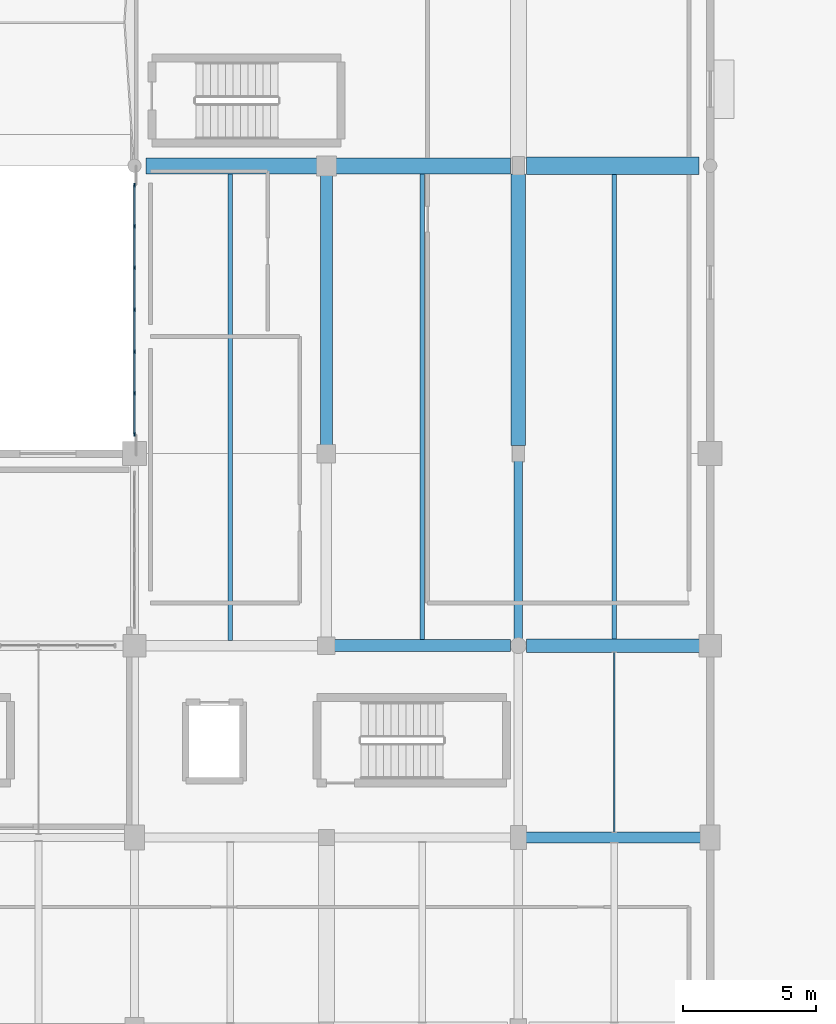
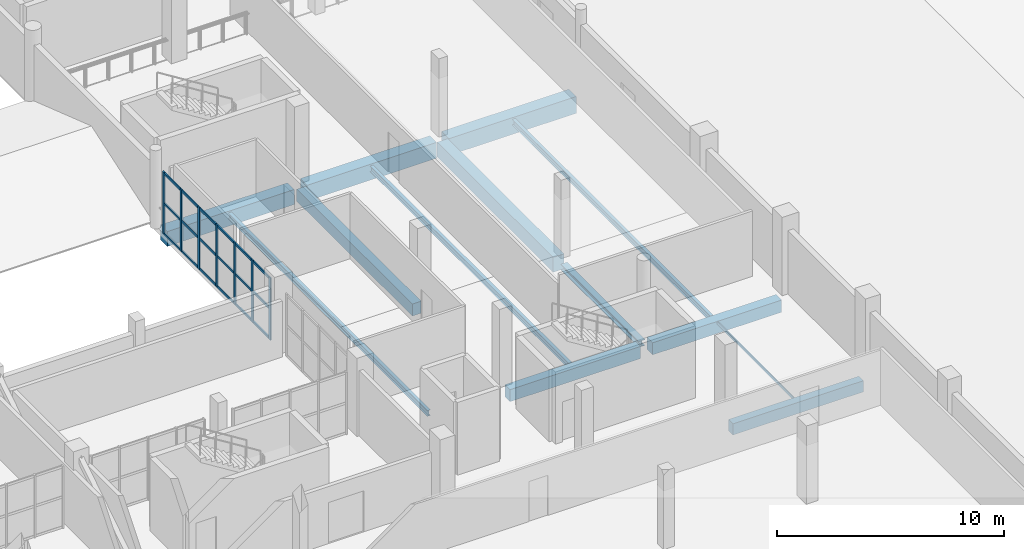
# One storey, part 36 of 90: 25 members, 13 beams, 1 element without a shape of its own.
"""IFC4 building model written with IfcOpenShell, lengths in metres."""

from ifc_helpers import new_model, si_unit, direction, frame, origin, origin_2d, place, context, subcontext, project, spatial, rectangle, hollow_rectangle, i_section, extrude, material, material_profile, profile_set, type_object, element, aggregate, save


model = new_model("IFC4")

# Units and contexts
model_context = context("Model", 3, precision=1e-05, world=origin(), true_north=direction((0.0, 1.0)))
body_context = subcontext(model_context, "Body", "Model", "MODEL_VIEW")
ifc_project = project(units=[si_unit("LENGTHUNIT", "METRE"), si_unit("AREAUNIT", "SQUARE_METRE"), si_unit("VOLUMEUNIT", "CUBIC_METRE"), si_unit("PLANEANGLEUNIT", "RADIAN"), si_unit("MASSUNIT", "GRAM", prefix="KILO")], contexts=[model_context])

# Site, building, storey
site_placement = place(None, origin())
site = spatial("IfcSite", under=ifc_project, at=site_placement, CompositionType="ELEMENT")
building_placement = place(site_placement, origin())
building = spatial("IfcBuilding", under=site, at=building_placement, Name="Solanera Park Tramway Depot", CompositionType="ELEMENT")
storey_placement = place(building_placement, frame((0.0, 0.0, 9.0)))
storey = spatial("IfcBuildingStorey", under=building, at=storey_placement, Name="L02", CompositionType="ELEMENT", Elevation=9.0)

# Curtain wall, members
ifc_material_1 = material(Name="Bronze-anodised thermally broken aluminium curtain wall", Category="aluminium")
curtain_wall_type = type_object("IfcCurtainWallType", Name="Courtyard Cloister Unitised Curtain Wall", PredefinedType="NOTDEFINED", material=ifc_material_1)
curtain_wall_placement = place(storey_placement, origin())
curtain_wall = element("IfcCurtainWall", 1, at=curtain_wall_placement, inside=storey, type_object=curtain_wall_type, Name="L02 Courtyard Cloister Unitised Curtain Wall #113", PredefinedType="NOTDEFINED")
ifc_material_2 = material(Name="Bronze-anodised structural aluminium 6063-T6", Category="aluminium")
ifc_material_profile_1 = material_profile(ifc_material_2, rectangle(XDim=0.06494140625, YDim=0.14990234375, at=origin_2d()), Name="Curtain Wall Mullion 65x150")
ifc_profile_set_1 = profile_set([ifc_material_profile_1], Name="Bronze-anodised structural aluminium 6063-T6")
member_type_1 = type_object("IfcMemberType", Name="Curtain Wall Mullion 65x150", PredefinedType="MULLION", material=ifc_profile_set_1)
member_1_placement = place(storey_placement, frame((165.60009765625, 42.467529296875, 0.0), z_axis=(0.0, 0.0, 1.0), x_axis=(1.0, 0.0, 0.0)))
member_1 = element("IfcMember", 2, at=member_1_placement, type_object=member_type_1, Name="CW-L02-113 Mullion 1", PredefinedType="MULLION", context=body_context, shape_type="SweptSolid", body=[
    extrude(rectangle(XDim=0.06494140625, YDim=0.14990234375, at=origin_2d()), origin(), (0.0, 0.0, 1.0), 3.35009765625),
])
member_2_placement = place(storey_placement, frame((165.60009765625, 40.933349609375, 0.0), z_axis=(0.0, 0.0, 1.0), x_axis=(1.0, 0.0, 0.0)))
member_2 = element("IfcMember", 3, at=member_2_placement, type_object=member_type_1, Name="CW-L02-113 Mullion 2", PredefinedType="MULLION", context=body_context, shape_type="SweptSolid", body=[
    extrude(rectangle(XDim=0.06494140625, YDim=0.14990234375, at=origin_2d()), origin(), (0.0, 0.0, 1.0), 3.35009765625),
])
member_3_placement = place(storey_placement, frame((165.60009765625, 39.36669921875, 0.0), z_axis=(0.0, 0.0, 1.0), x_axis=(1.0, 0.0, 0.0)))
member_3 = element("IfcMember", 4, at=member_3_placement, type_object=member_type_1, Name="CW-L02-113 Mullion 3", PredefinedType="MULLION", context=body_context, shape_type="SweptSolid", body=[
    extrude(rectangle(XDim=0.06494140625, YDim=0.14990234375, at=origin_2d()), origin(), (0.0, 0.0, 1.0), 3.35009765625),
])
member_4_placement = place(storey_placement, frame((165.60009765625, 37.800048828125, 0.0), z_axis=(0.0, 0.0, 1.0), x_axis=(1.0, 0.0, 0.0)))
member_4 = element("IfcMember", 5, at=member_4_placement, type_object=member_type_1, Name="CW-L02-113 Mullion 4", PredefinedType="MULLION", context=body_context, shape_type="SweptSolid", body=[
    extrude(rectangle(XDim=0.06494140625, YDim=0.14990234375, at=origin_2d()), origin(), (0.0, 0.0, 1.0), 3.35009765625),
])
member_5_placement = place(storey_placement, frame((165.60009765625, 36.2333984375, 0.0), z_axis=(0.0, 0.0, 1.0), x_axis=(1.0, 0.0, 0.0)))
member_5 = element("IfcMember", 6, at=member_5_placement, type_object=member_type_1, Name="CW-L02-113 Mullion 5", PredefinedType="MULLION", context=body_context, shape_type="SweptSolid", body=[
    extrude(rectangle(XDim=0.06494140625, YDim=0.14990234375, at=origin_2d()), origin(), (0.0, 0.0, 1.0), 3.35009765625),
])
member_6_placement = place(storey_placement, frame((165.60009765625, 34.666748046875, 0.0), z_axis=(0.0, 0.0, 1.0), x_axis=(1.0, 0.0, 0.0)))
member_6 = element("IfcMember", 7, at=member_6_placement, type_object=member_type_1, Name="CW-L02-113 Mullion 6", PredefinedType="MULLION", context=body_context, shape_type="SweptSolid", body=[
    extrude(rectangle(XDim=0.06494140625, YDim=0.14990234375, at=origin_2d()), origin(), (0.0, 0.0, 1.0), 3.35009765625),
])
member_7_placement = place(storey_placement, frame((165.60009765625, 33.132568359375, 0.0), z_axis=(0.0, 0.0, 1.0), x_axis=(1.0, 0.0, 0.0)))
member_7 = element("IfcMember", 8, at=member_7_placement, type_object=member_type_1, Name="CW-L02-113 Mullion 7", PredefinedType="MULLION", context=body_context, shape_type="SweptSolid", body=[
    extrude(rectangle(XDim=0.06494140625, YDim=0.14990234375, at=origin_2d()), origin(), (0.0, 0.0, 1.0), 3.35009765625),
])
ifc_material_3 = material(Name="Bronze-anodised structural aluminium 6063-T6", Category="aluminium")
ifc_material_profile_2 = material_profile(ifc_material_3, rectangle(XDim=0.06494140625, YDim=0.1201171875, at=origin_2d()), Name="Curtain Wall Transom 65x120")
ifc_profile_set_2 = profile_set([ifc_material_profile_2], Name="Bronze-anodised structural aluminium 6063-T6")
member_type_2 = type_object("IfcMemberType", Name="Curtain Wall Transom 65x120", PredefinedType="USERDEFINED", material=ifc_profile_set_2)
member_8_placement = place(storey_placement, frame((165.60009765625, 42.439453125, 0.06005859375), z_axis=(0.0, -1.0, 0.0), x_axis=(1.0, 0.0, 0.0)))
member_8 = element("IfcMember", 9, at=member_8_placement, type_object=member_type_2, Name="CW-L02-113 Transom R1.C1", ObjectType="TRANSOM", PredefinedType="USERDEFINED", context=body_context, shape_type="SweptSolid", body=[
    extrude(rectangle(XDim=0.06494140625, YDim=0.1201171875, at=origin_2d()), origin(), (0.0, 0.0, 1.0), 1.478271484375),
])
member_9_placement = place(storey_placement, frame((165.60009765625, 40.9052734375, 0.06005859375), z_axis=(0.0, -1.0, 0.0), x_axis=(1.0, 0.0, 0.0)))
member_9 = element("IfcMember", 10, at=member_9_placement, type_object=member_type_2, Name="CW-L02-113 Transom R1.C2", ObjectType="TRANSOM", PredefinedType="USERDEFINED", context=body_context, shape_type="SweptSolid", body=[
    extrude(rectangle(XDim=0.06494140625, YDim=0.1201171875, at=origin_2d()), origin(), (0.0, 0.0, 1.0), 1.510498046875),
])
member_10_placement = place(storey_placement, frame((165.60009765625, 39.338623046875, 0.06005859375), z_axis=(0.0, -1.0, 0.0), x_axis=(1.0, 0.0, 0.0)))
member_10 = element("IfcMember", 11, at=member_10_placement, type_object=member_type_2, Name="CW-L02-113 Transom R1.C3", ObjectType="TRANSOM", PredefinedType="USERDEFINED", context=body_context, shape_type="SweptSolid", body=[
    extrude(rectangle(XDim=0.06494140625, YDim=0.1201171875, at=origin_2d()), origin(), (0.0, 0.0, 1.0), 1.5107421875),
])
member_11_placement = place(storey_placement, frame((165.60009765625, 37.77197265625, 0.06005859375), z_axis=(0.0, -1.0, 0.0), x_axis=(1.0, 0.0, 0.0)))
member_11 = element("IfcMember", 12, at=member_11_placement, type_object=member_type_2, Name="CW-L02-113 Transom R1.C4", ObjectType="TRANSOM", PredefinedType="USERDEFINED", context=body_context, shape_type="SweptSolid", body=[
    extrude(rectangle(XDim=0.06494140625, YDim=0.1201171875, at=origin_2d()), origin(), (0.0, 0.0, 1.0), 1.5107421875),
])
member_12_placement = place(storey_placement, frame((165.60009765625, 36.205322265625, 0.06005859375), z_axis=(0.0, -1.0, 0.0), x_axis=(1.0, 0.0, 0.0)))
member_12 = element("IfcMember", 13, at=member_12_placement, type_object=member_type_2, Name="CW-L02-113 Transom R1.C5", ObjectType="TRANSOM", PredefinedType="USERDEFINED", context=body_context, shape_type="SweptSolid", body=[
    extrude(rectangle(XDim=0.06494140625, YDim=0.1201171875, at=origin_2d()), origin(), (0.0, 0.0, 1.0), 1.5107421875),
])
member_13_placement = place(storey_placement, frame((165.60009765625, 34.638671875, 0.06005859375), z_axis=(0.0, -1.0, 0.0), x_axis=(1.0, 0.0, 0.0)))
member_13 = element("IfcMember", 14, at=member_13_placement, type_object=member_type_2, Name="CW-L02-113 Transom R1.C6", ObjectType="TRANSOM", PredefinedType="USERDEFINED", context=body_context, shape_type="SweptSolid", body=[
    extrude(rectangle(XDim=0.06494140625, YDim=0.1201171875, at=origin_2d()), origin(), (0.0, 0.0, 1.0), 1.478271484375),
])
member_14_placement = place(storey_placement, frame((165.60009765625, 42.439453125, 1.675048828125), z_axis=(0.0, -1.0, 0.0), x_axis=(1.0, 0.0, 0.0)))
member_14 = element("IfcMember", 15, at=member_14_placement, type_object=member_type_2, Name="CW-L02-113 Transom R2.C1", ObjectType="TRANSOM", PredefinedType="USERDEFINED", context=body_context, shape_type="SweptSolid", body=[
    extrude(rectangle(XDim=0.06494140625, YDim=0.1201171875, at=origin_2d()), origin(), (0.0, 0.0, 1.0), 1.478271484375),
])
member_15_placement = place(storey_placement, frame((165.60009765625, 40.9052734375, 1.675048828125), z_axis=(0.0, -1.0, 0.0), x_axis=(1.0, 0.0, 0.0)))
member_15 = element("IfcMember", 16, at=member_15_placement, type_object=member_type_2, Name="CW-L02-113 Transom R2.C2", ObjectType="TRANSOM", PredefinedType="USERDEFINED", context=body_context, shape_type="SweptSolid", body=[
    extrude(rectangle(XDim=0.06494140625, YDim=0.1201171875, at=origin_2d()), origin(), (0.0, 0.0, 1.0), 1.510498046875),
])
member_16_placement = place(storey_placement, frame((165.60009765625, 39.338623046875, 1.675048828125), z_axis=(0.0, -1.0, 0.0), x_axis=(1.0, 0.0, 0.0)))
member_16 = element("IfcMember", 17, at=member_16_placement, type_object=member_type_2, Name="CW-L02-113 Transom R2.C3", ObjectType="TRANSOM", PredefinedType="USERDEFINED", context=body_context, shape_type="SweptSolid", body=[
    extrude(rectangle(XDim=0.06494140625, YDim=0.1201171875, at=origin_2d()), origin(), (0.0, 0.0, 1.0), 1.5107421875),
])
member_17_placement = place(storey_placement, frame((165.60009765625, 37.77197265625, 1.675048828125), z_axis=(0.0, -1.0, 0.0), x_axis=(1.0, 0.0, 0.0)))
member_17 = element("IfcMember", 18, at=member_17_placement, type_object=member_type_2, Name="CW-L02-113 Transom R2.C4", ObjectType="TRANSOM", PredefinedType="USERDEFINED", context=body_context, shape_type="SweptSolid", body=[
    extrude(rectangle(XDim=0.06494140625, YDim=0.1201171875, at=origin_2d()), origin(), (0.0, 0.0, 1.0), 1.5107421875),
])
member_18_placement = place(storey_placement, frame((165.60009765625, 36.205322265625, 1.675048828125), z_axis=(0.0, -1.0, 0.0), x_axis=(1.0, 0.0, 0.0)))
member_18 = element("IfcMember", 19, at=member_18_placement, type_object=member_type_2, Name="CW-L02-113 Transom R2.C5", ObjectType="TRANSOM", PredefinedType="USERDEFINED", context=body_context, shape_type="SweptSolid", body=[
    extrude(rectangle(XDim=0.06494140625, YDim=0.1201171875, at=origin_2d()), origin(), (0.0, 0.0, 1.0), 1.5107421875),
])
member_19_placement = place(storey_placement, frame((165.60009765625, 34.638671875, 1.675048828125), z_axis=(0.0, -1.0, 0.0), x_axis=(1.0, 0.0, 0.0)))
member_19 = element("IfcMember", 20, at=member_19_placement, type_object=member_type_2, Name="CW-L02-113 Transom R2.C6", ObjectType="TRANSOM", PredefinedType="USERDEFINED", context=body_context, shape_type="SweptSolid", body=[
    extrude(rectangle(XDim=0.06494140625, YDim=0.1201171875, at=origin_2d()), origin(), (0.0, 0.0, 1.0), 1.478271484375),
])
member_20_placement = place(storey_placement, frame((165.60009765625, 42.439453125, 3.2900390625), z_axis=(0.0, -1.0, 0.0), x_axis=(1.0, 0.0, 0.0)))
member_20 = element("IfcMember", 21, at=member_20_placement, type_object=member_type_2, Name="CW-L02-113 Transom R3.C1", ObjectType="TRANSOM", PredefinedType="USERDEFINED", context=body_context, shape_type="SweptSolid", body=[
    extrude(rectangle(XDim=0.06494140625, YDim=0.1201171875, at=origin_2d()), origin(), (0.0, 0.0, 1.0), 1.478271484375),
])
member_21_placement = place(storey_placement, frame((165.60009765625, 40.9052734375, 3.2900390625), z_axis=(0.0, -1.0, 0.0), x_axis=(1.0, 0.0, 0.0)))
member_21 = element("IfcMember", 22, at=member_21_placement, type_object=member_type_2, Name="CW-L02-113 Transom R3.C2", ObjectType="TRANSOM", PredefinedType="USERDEFINED", context=body_context, shape_type="SweptSolid", body=[
    extrude(rectangle(XDim=0.06494140625, YDim=0.1201171875, at=origin_2d()), origin(), (0.0, 0.0, 1.0), 1.510498046875),
])
member_22_placement = place(storey_placement, frame((165.60009765625, 39.338623046875, 3.2900390625), z_axis=(0.0, -1.0, 0.0), x_axis=(1.0, 0.0, 0.0)))
member_22 = element("IfcMember", 23, at=member_22_placement, type_object=member_type_2, Name="CW-L02-113 Transom R3.C3", ObjectType="TRANSOM", PredefinedType="USERDEFINED", context=body_context, shape_type="SweptSolid", body=[
    extrude(rectangle(XDim=0.06494140625, YDim=0.1201171875, at=origin_2d()), origin(), (0.0, 0.0, 1.0), 1.5107421875),
])
member_23_placement = place(storey_placement, frame((165.60009765625, 37.77197265625, 3.2900390625), z_axis=(0.0, -1.0, 0.0), x_axis=(1.0, 0.0, 0.0)))
member_23 = element("IfcMember", 24, at=member_23_placement, type_object=member_type_2, Name="CW-L02-113 Transom R3.C4", ObjectType="TRANSOM", PredefinedType="USERDEFINED", context=body_context, shape_type="SweptSolid", body=[
    extrude(rectangle(XDim=0.06494140625, YDim=0.1201171875, at=origin_2d()), origin(), (0.0, 0.0, 1.0), 1.5107421875),
])
member_24_placement = place(storey_placement, frame((165.60009765625, 36.205322265625, 3.2900390625), z_axis=(0.0, -1.0, 0.0), x_axis=(1.0, 0.0, 0.0)))
member_24 = element("IfcMember", 25, at=member_24_placement, type_object=member_type_2, Name="CW-L02-113 Transom R3.C5", ObjectType="TRANSOM", PredefinedType="USERDEFINED", context=body_context, shape_type="SweptSolid", body=[
    extrude(rectangle(XDim=0.06494140625, YDim=0.1201171875, at=origin_2d()), origin(), (0.0, 0.0, 1.0), 1.5107421875),
])
member_25_placement = place(storey_placement, frame((165.60009765625, 34.638671875, 3.2900390625), z_axis=(0.0, -1.0, 0.0), x_axis=(1.0, 0.0, 0.0)))
member_25 = element("IfcMember", 26, at=member_25_placement, type_object=member_type_2, Name="CW-L02-113 Transom R3.C6", ObjectType="TRANSOM", PredefinedType="USERDEFINED", context=body_context, shape_type="SweptSolid", body=[
    extrude(rectangle(XDim=0.06494140625, YDim=0.1201171875, at=origin_2d()), origin(), (0.0, 0.0, 1.0), 1.478271484375),
])
aggregate(curtain_wall, [member_1, member_2, member_3, member_4, member_5, member_6, member_7, member_8, member_9, member_10, member_11, member_12, member_13, member_14, member_15, member_16, member_17, member_18, member_19, member_20, member_21, member_22, member_23, member_24, member_25])

# Beams
ifc_material_4 = material(Name="Concrete N40 (C40/50)", Category="concrete")
ifc_material_profile_3 = material_profile(ifc_material_4, rectangle(XDim=0.39990234375, YDim=0.60009765625, at=origin_2d()), Name="RCB 400x600")
ifc_profile_set_3 = profile_set([ifc_material_profile_3], Name="Concrete N40 (C40/50)")
beam_type_1 = type_object("IfcBeamType", Name="RC Floor Beam RCB 400x600", PredefinedType="BEAM", material=ifc_profile_set_3)
beam_1_placement = place(storey_placement, frame((180.25, 18.0, -0.6640625), z_axis=(1.0, 0.0, 0.0), x_axis=(0.0, 1.0, 0.0)))
element("IfcBeam", 27, at=beam_1_placement, inside=storey, type_object=beam_type_1, Name="L02 Primary X-Girder RCB 400x600 #0119", PredefinedType="BEAM", context=body_context, shape_type="SweptSolid", body=[
    extrude(rectangle(XDim=0.39990234375, YDim=0.60009765625, at=origin_2d()), origin(), (0.0, 0.0, 1.0), 6.625),
])
ifc_material_5 = material(Name="Concrete N40 (C40/50)", Category="concrete")
ifc_material_profile_4 = material_profile(ifc_material_5, rectangle(XDim=0.449951171875, YDim=0.64990234375, at=origin_2d()), Name="RCB 450x650")
ifc_profile_set_4 = profile_set([ifc_material_profile_4], Name="Concrete N40 (C40/50)")
beam_type_2 = type_object("IfcBeamType", Name="RC Floor Beam RCB 450x650", PredefinedType="BEAM", material=ifc_profile_set_4)
beam_2_placement = place(storey_placement, frame((173.074951171875, 25.199951171875, -0.68896484375), z_axis=(1.0, 0.0, 0.0), x_axis=(0.0, 1.0, 0.0)))
element("IfcBeam", 28, at=beam_2_placement, inside=storey, type_object=beam_type_2, Name="L02 Primary X-Girder RCB 450x650 #0129", PredefinedType="BEAM", context=body_context, shape_type="SweptSolid", body=[
    extrude(rectangle(XDim=0.449951171875, YDim=0.64990234375, at=origin_2d()), origin(), (0.0, 0.0, 1.0), 6.625),
])
beam_3_placement = place(storey_placement, frame((172.800048828125, 32.699951171875, -0.60400390625), z_axis=(0.0, 1.0, 0.0), x_axis=(-1.0, 0.0, 0.0)))
element("IfcBeam", 29, at=beam_3_placement, inside=storey, type_object=beam_type_2, Name="L02 Primary Y-Girder RCB 450x650 #0153", PredefinedType="BEAM", context=body_context, shape_type="SweptSolid", body=[
    extrude(rectangle(XDim=0.449951171875, YDim=0.64990234375, at=origin_2d()), origin(), (0.0, 0.0, 1.0), 10.175048828125),
])
ifc_material_6 = material(Name="Concrete N40 (C40/50)", Category="concrete")
ifc_material_profile_5 = material_profile(ifc_material_6, rectangle(XDim=0.5, YDim=0.64990234375, at=origin_2d()), Name="RCB 500x650")
ifc_profile_set_5 = profile_set([ifc_material_profile_5], Name="Concrete N40 (C40/50)")
beam_type_3 = type_object("IfcBeamType", Name="RC Floor Beam RCB 500x650", PredefinedType="BEAM", material=ifc_profile_set_5)
beam_4_placement = place(storey_placement, frame((180.300048828125, 25.199951171875, -0.68896484375), z_axis=(1.0, 0.0, 0.0), x_axis=(0.0, 1.0, 0.0)))
element("IfcBeam", 30, at=beam_4_placement, inside=storey, type_object=beam_type_3, Name="L02 Primary X-Girder RCB 500x650 #0130", PredefinedType="BEAM", context=body_context, shape_type="SweptSolid", body=[
    extrude(rectangle(XDim=0.5, YDim=0.64990234375, at=origin_2d()), origin(), (0.0, 0.0, 1.0), 6.550048828125),
])
ifc_material_7 = material(Name="Concrete N40 (C40/50)", Category="concrete")
ifc_material_profile_6 = material_profile(ifc_material_7, rectangle(XDim=0.550048828125, YDim=0.800048828125, at=origin_2d()), Name="RCB 550x800")
ifc_profile_set_6 = profile_set([ifc_material_profile_6], Name="Concrete N40 (C40/50)")
beam_type_4 = type_object("IfcBeamType", Name="RC Floor Beam RCB 550x800", PredefinedType="BEAM", material=ifc_profile_set_6)
beam_5_placement = place(storey_placement, frame((180.0, 32.699951171875, -0.678955078125), z_axis=(0.0, 1.0, 0.0), x_axis=(-1.0, 0.0, 0.0)))
element("IfcBeam", 31, at=beam_5_placement, inside=storey, type_object=beam_type_4, Name="L02 Primary Y-Girder RCB 550x800 #0155", PredefinedType="BEAM", context=body_context, shape_type="SweptSolid", body=[
    extrude(rectangle(XDim=0.550048828125, YDim=0.800048828125, at=origin_2d()), origin(), (0.0, 0.0, 1.0), 10.199951171875),
])
ifc_material_8 = material(Name="Concrete N40 (C40/50)", Category="concrete")
ifc_material_profile_7 = material_profile(ifc_material_8, rectangle(XDim=0.60009765625, YDim=0.800048828125, at=origin_2d()), Name="RCB 600x800")
ifc_profile_set_7 = profile_set([ifc_material_profile_7], Name="Concrete N40 (C40/50)")
beam_type_5 = type_object("IfcBeamType", Name="RC Floor Beam RCB 600x800", PredefinedType="BEAM", material=ifc_profile_set_7)
beam_6_placement = place(storey_placement, frame((166.02490234375, 43.199951171875, -0.678955078125), z_axis=(1.0, 0.0, 0.0), x_axis=(0.0, 1.0, 0.0)))
element("IfcBeam", 32, at=beam_6_placement, inside=storey, type_object=beam_type_5, Name="L02 Primary X-Girder RCB 600x800 #0133", PredefinedType="BEAM", context=body_context, shape_type="SweptSolid", body=[
    extrude(rectangle(XDim=0.60009765625, YDim=0.800048828125, at=origin_2d()), origin(), (0.0, 0.0, 1.0), 6.4501953125),
])
ifc_material_9 = material(Name="Concrete N40 (C40/50)", Category="concrete")
ifc_material_profile_8 = material_profile(ifc_material_9, rectangle(XDim=0.60009765625, YDim=0.85009765625, at=origin_2d()), Name="RCB 600x850")
ifc_profile_set_8 = profile_set([ifc_material_profile_8], Name="Concrete N40 (C40/50)")
beam_type_6 = type_object("IfcBeamType", Name="RC Floor Beam RCB 600x850", PredefinedType="BEAM", material=ifc_profile_set_8)
beam_7_placement = place(storey_placement, frame((173.125, 43.199951171875, -0.7041015625), z_axis=(1.0, 0.0, 0.0), x_axis=(0.0, 1.0, 0.0)))
element("IfcBeam", 33, at=beam_7_placement, inside=storey, type_object=beam_type_6, Name="L02 Primary X-Girder RCB 600x850 #0134", PredefinedType="BEAM", context=body_context, shape_type="SweptSolid", body=[
    extrude(rectangle(XDim=0.60009765625, YDim=0.85009765625, at=origin_2d()), origin(), (0.0, 0.0, 1.0), 6.574951171875),
])
ifc_material_10 = material(Name="Concrete N40 (C40/50)", Category="concrete")
ifc_material_profile_9 = material_profile(ifc_material_10, rectangle(XDim=0.64990234375, YDim=0.89990234375, at=origin_2d()), Name="RCB 650x900")
ifc_profile_set_9 = profile_set([ifc_material_profile_9], Name="Concrete N40 (C40/50)")
beam_type_7 = type_object("IfcBeamType", Name="RC Floor Beam RCB 650x900", PredefinedType="BEAM", material=ifc_profile_set_9)
beam_8_placement = place(storey_placement, frame((180.300048828125, 43.199951171875, -0.72900390625), z_axis=(1.0, 0.0, 0.0), x_axis=(0.0, 1.0, 0.0)))
element("IfcBeam", 34, at=beam_8_placement, inside=storey, type_object=beam_type_7, Name="L02 Primary X-Girder RCB 650x900 #0135", PredefinedType="BEAM", context=body_context, shape_type="SweptSolid", body=[
    extrude(rectangle(XDim=0.64990234375, YDim=0.89990234375, at=origin_2d()), origin(), (0.0, 0.0, 1.0), 6.474853515625),
])
ifc_material_11 = material(Name="Steel AS/NZS 3679.1 Grade 350", Category="steel")
ifc_material_profile_10 = material_profile(ifc_material_11, i_section(OverallWidth=0.310546875, OverallDepth=0.3271484375, WebThickness=0.015625, FlangeThickness=0.02490234375, at=origin_2d()), Name="310UC158")
ifc_profile_set_10 = profile_set([ifc_material_profile_10], Name="Steel AS/NZS 3679.1 Grade 350")
beam_type_8 = type_object("IfcBeamType", Name="Steel Beam 310UC158", PredefinedType="BEAM", material=ifc_profile_set_10)
beam_9_placement = place(storey_placement, frame((180.0, 25.3798828125, -0.550048828125), z_axis=(0.0, 1.0, 0.0), x_axis=(-1.0, 0.0, 0.0)))
element("IfcBeam", 35, at=beam_9_placement, inside=storey, type_object=beam_type_8, Name="L02 Transfer Truss Backspan Chord 310UC158 #0341", PredefinedType="BEAM", context=body_context, shape_type="SweptSolid", body=[
    extrude(i_section(OverallWidth=0.310546875, OverallDepth=0.3271484375, WebThickness=0.015625, FlangeThickness=0.02490234375, at=origin_2d()), origin(), (0.0, 0.0, 1.0), 6.840087890625),
])
ifc_material_12 = material(Name="Steel AS/NZS 1163 Grade C350L0", Category="steel")
ifc_material_profile_11 = material_profile(ifc_material_12, hollow_rectangle(XDim=0.050048828125, YDim=0.14990234375, WallThickness=0.0048828125, at=origin_2d()), Name="150x50x5.0 RHS")
ifc_profile_set_11 = profile_set([ifc_material_profile_11], Name="Steel AS/NZS 1163 Grade C350L0")
beam_type_9 = type_object("IfcBeamType", Name="Steel Joist Purlin 150x50x5.0 RHS", PredefinedType="JOIST", material=ifc_profile_set_11)
beam_10_placement = place(storey_placement, frame((183.60009765625, 18.19189453125, -0.43896484375), z_axis=(0.0, 1.0, 0.0), x_axis=(-1.0, 0.0, 0.0)))
element("IfcBeam", 36, at=beam_10_placement, inside=storey, type_object=beam_type_9, Name="L02 Secondary Floor Joist 150x50x5.0 RHS #0186", PredefinedType="JOIST", context=body_context, shape_type="SweptSolid", body=[
    extrude(hollow_rectangle(XDim=0.050048828125, YDim=0.14990234375, WallThickness=0.0048828125, at=origin_2d()), origin(), (0.0, 0.0, 1.0), 6.76611328125),
])
ifc_material_13 = material(Name="Steel AS/NZS 3679.1 Grade 350", Category="steel")
ifc_material_profile_12 = material_profile(ifc_material_13, i_section(OverallWidth=0.1650390625, OverallDepth=0.3037109375, WebThickness=0.006103515625, FlangeThickness=0.01025390625, at=origin_2d()), Name="310UB40.4")
ifc_profile_set_12 = profile_set([ifc_material_profile_12], Name="Steel AS/NZS 3679.1 Grade 350")
beam_type_10 = type_object("IfcBeamType", Name="Steel Joist Purlin 310UB40.4", PredefinedType="JOIST", material=ifc_profile_set_12)
beam_11_placement = place(storey_placement, frame((169.199951171875, 25.39208984375, -0.515869140625), z_axis=(0.0, 1.0, 0.0), x_axis=(-1.0, 0.0, 0.0)))
element("IfcBeam", 37, at=beam_11_placement, inside=storey, type_object=beam_type_10, Name="L02 Secondary Floor Joist 310UB40.4 #0189", PredefinedType="JOIST", context=body_context, shape_type="SweptSolid", body=[
    extrude(i_section(OverallWidth=0.1650390625, OverallDepth=0.3037109375, WebThickness=0.006103515625, FlangeThickness=0.01025390625, at=origin_2d()), origin(), (0.0, 0.0, 1.0), 17.515869140625),
])
beam_12_placement = place(storey_placement, frame((176.39990234375, 25.4169921875, -0.515869140625), z_axis=(0.0, 1.0, 0.0), x_axis=(-1.0, 0.0, 0.0)))
element("IfcBeam", 38, at=beam_12_placement, inside=storey, type_object=beam_type_10, Name="L02 Secondary Floor Joist 310UB40.4 #0190", PredefinedType="JOIST", context=body_context, shape_type="SweptSolid", body=[
    extrude(i_section(OverallWidth=0.1650390625, OverallDepth=0.3037109375, WebThickness=0.006103515625, FlangeThickness=0.01025390625, at=origin_2d()), origin(), (0.0, 0.0, 1.0), 17.490966796875),
])
beam_13_placement = place(storey_placement, frame((183.60009765625, 25.44189453125, -0.515869140625), z_axis=(0.0, 1.0, 0.0), x_axis=(-1.0, 0.0, 0.0)))
element("IfcBeam", 39, at=beam_13_placement, inside=storey, type_object=beam_type_10, Name="L02 Secondary Floor Joist 310UB40.4 #0191", PredefinedType="JOIST", context=body_context, shape_type="SweptSolid", body=[
    extrude(i_section(OverallWidth=0.1650390625, OverallDepth=0.3037109375, WebThickness=0.006103515625, FlangeThickness=0.01025390625, at=origin_2d()), origin(), (0.0, 0.0, 1.0), 17.441162109375),
])

save(model, "model.ifc")
